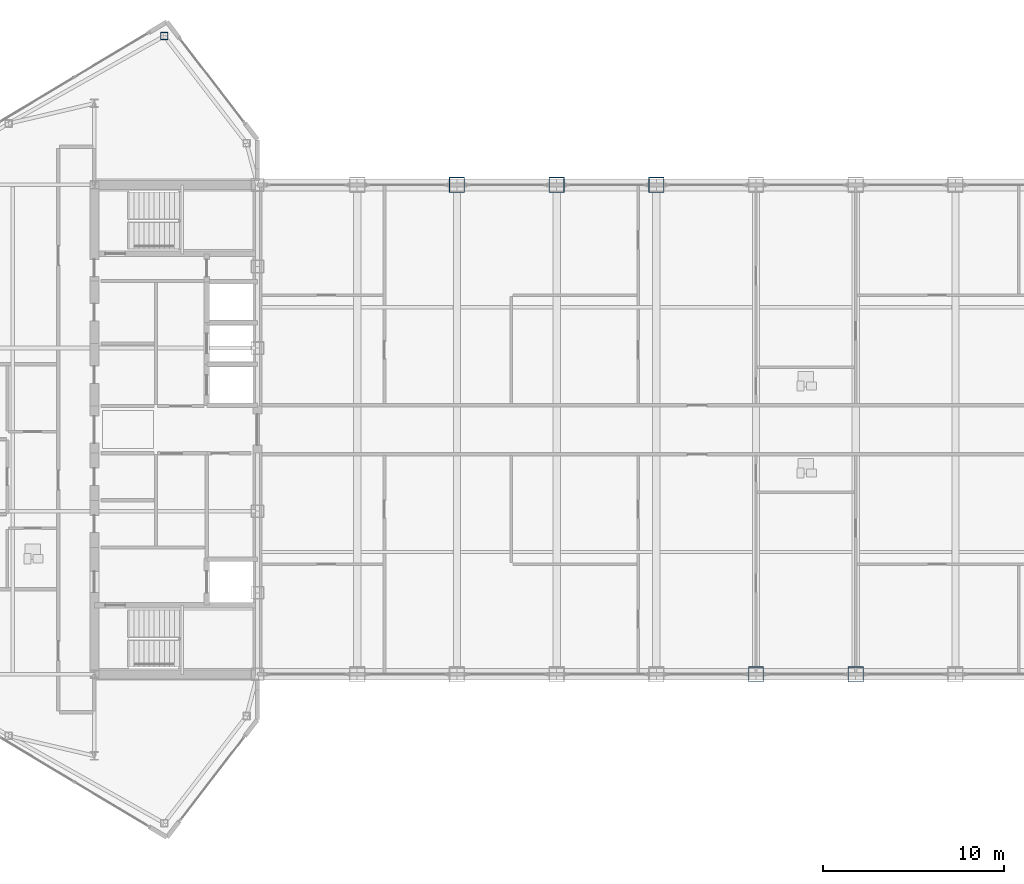
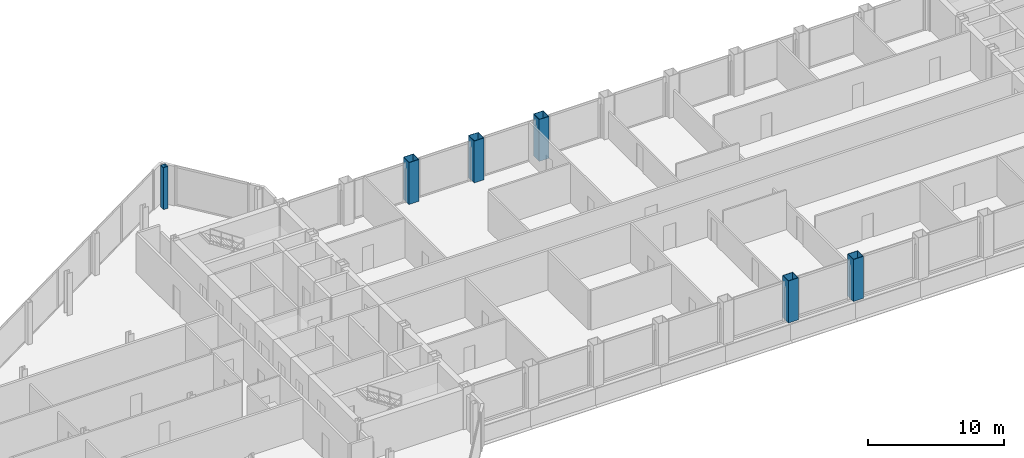
# One storey, part 3 of 29: 6 columns.
"""IFC4 building model written with IfcOpenShell, lengths in metres."""

from ifc_helpers import new_model, si_unit, direction, frame, origin, origin_2d, place, context, subcontext, project, spatial, hollow_rectangle, extrude, source, transform, mapped, material, material_profile, profile_set, type_object, type_shapes, element, save


model = new_model("IFC4")

# Units and contexts
model_context = context("Model", 3, precision=1e-05, world=origin(), true_north=direction((0.0, 1.0)))
body_context = subcontext(model_context, "Body", "Model", "MODEL_VIEW")
ifc_project = project(units=[si_unit("LENGTHUNIT", "METRE"), si_unit("AREAUNIT", "SQUARE_METRE"), si_unit("VOLUMEUNIT", "CUBIC_METRE"), si_unit("PLANEANGLEUNIT", "RADIAN"), si_unit("MASSUNIT", "GRAM", prefix="KILO")], contexts=[model_context])

# Site, building, storey
site_placement = place(None, origin())
site = spatial("IfcSite", under=ifc_project, at=site_placement, CompositionType="ELEMENT")
building_placement = place(site_placement, origin())
building = spatial("IfcBuilding", under=site, at=building_placement, Name="Seokmaru Belvedere", CompositionType="ELEMENT")
storey_placement = place(building_placement, frame((0.0, 0.0, 239.39990234375)))
storey = spatial("IfcBuildingStorey", under=building, at=storey_placement, Name="L63", CompositionType="ELEMENT", Elevation=239.39990234375)

# Columns
ifc_material_1 = material(Name="Steel SM355 (355 MPa)", Category="steel")
ifc_material_profile_1 = material_profile(ifc_material_1, hollow_rectangle(XDim=0.39990234375, YDim=0.39990234375, WallThickness=0.01611328125, at=origin_2d()), Name="HSS-400x400x16")
ifc_profile_set_1 = profile_set([ifc_material_profile_1], Name="Steel SM355 (355 MPa)")
column_type_1 = type_object("IfcColumnType", Name="Perimeter Facet Column HSS-400", PredefinedType="COLUMN", material=ifc_profile_set_1)
shared_shape_1 = source(origin(), body_context, "Body", "SweptSolid", [
    extrude(hollow_rectangle(XDim=0.39990234375, YDim=0.39990234375, WallThickness=0.01611328125, at=origin_2d()), origin(), (0.0, 0.0, 1.0), 3.75),
])
type_shapes(column_type_1, [shared_shape_1])
column_placement = place(storey_placement, frame((-32.649658203125, 21.71044921875, 0.0), z_axis=(0.0, 0.0, 1.0), x_axis=(1.0, 0.0, 0.0)))
element("IfcColumn", 1, at=column_placement, inside=storey, type_object=column_type_1, Name="L63 Column WF3", PredefinedType="COLUMN", context=body_context, shape_type="MappedRepresentation", body=[
    mapped(shared_shape_1, transform((0.0, 0.0, 0.0), scale=1.0)),
])
ifc_material_2 = material(Name="Steel HSA650 (650 MPa)", Category="steel")
ifc_material_profile_2 = material_profile(ifc_material_2, hollow_rectangle(XDim=0.85009765625, YDim=0.85009765625, WallThickness=0.035888671875, at=origin_2d()), Name="BOX-850x850x36")
ifc_profile_set_2 = profile_set([ifc_material_profile_2], Name="Steel HSA650 (650 MPa)")
column_type_2 = type_object("IfcColumnType", Name="Portal Spine Column BOX-850", PredefinedType="COLUMN", material=ifc_profile_set_2)
shared_shape_2 = source(origin(), body_context, "Body", "SweptSolid", [
    extrude(hollow_rectangle(XDim=0.85009765625, YDim=0.85009765625, WallThickness=0.035888671875, at=origin_2d()), origin(), (0.0, 0.0, 1.0), 3.75),
])
type_shapes(column_type_2, [shared_shape_2])
for number, where, z_axis, x_axis, name in (
    (2, (-16.5, 13.5, 0.0), (0.0, 0.0, 1.0), (1.0, 0.0, 0.0), "L63 Column BRN_2"),
    (3, (-11.0, 13.5, 0.0), (0.0, 0.0, 1.0), (1.0, 0.0, 0.0), "L63 Column BRN_3"),
    (4, (-5.5, 13.5, 0.0), (0.0, 0.0, 1.0), (1.0, 0.0, 0.0), "L63 Column BRN_4"),
    (5, (0.0, -13.5, 0.0), (0.0, 0.0, 1.0), (1.0, 0.0, 0.0), "L63 Column BRS_5"),
    (6, (5.5, -13.5, 0.0), (0.0, 0.0, 1.0), (1.0, 0.0, 0.0), "L63 Column BRS_6"),
):
    element("IfcColumn", number, at=place(storey_placement, frame(where, z_axis=z_axis, x_axis=x_axis)), inside=storey, type_object=column_type_2, Name=name, PredefinedType="COLUMN", context=body_context, shape_type="MappedRepresentation", body=[
        mapped(shared_shape_2, transform((0.0, 0.0, 0.0), scale=1.0)),
    ])

save(model, "model.ifc")
